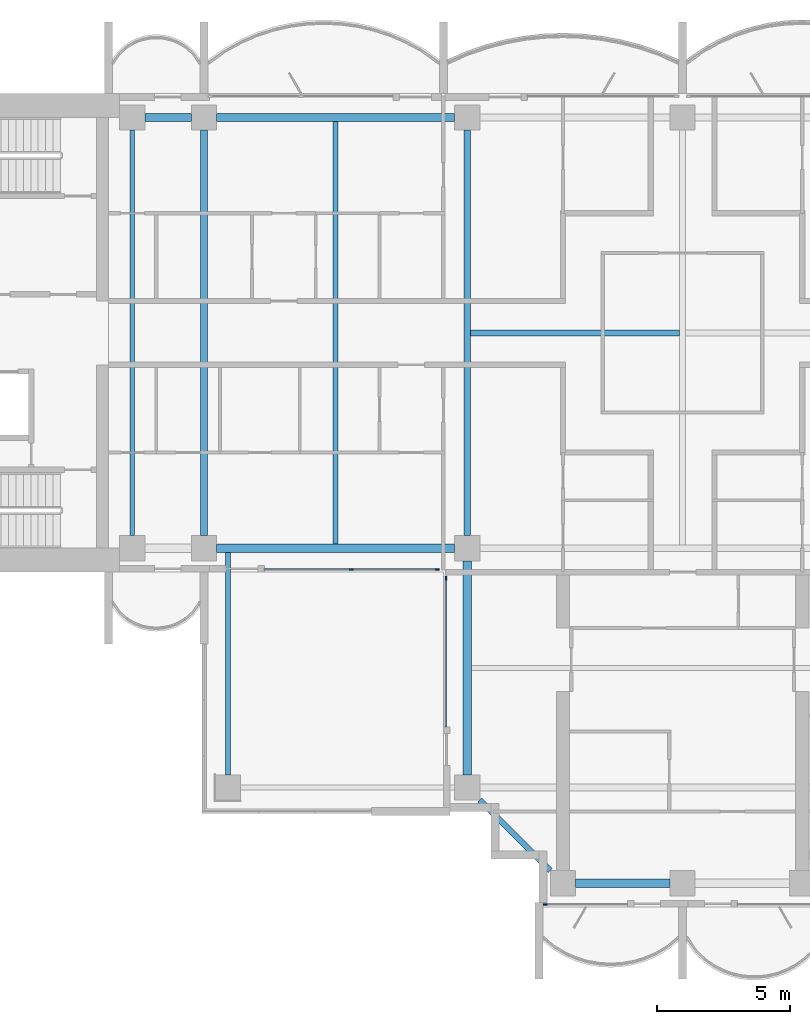
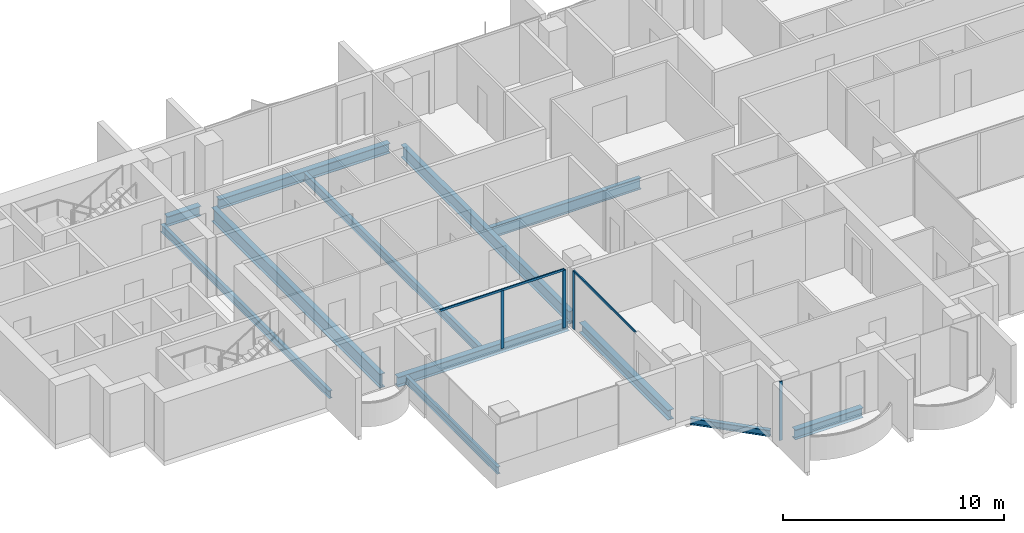
# One storey, part 2 of 17: 12 beams, 6 members, 3 elements without a shape of their own.
"""IFC4 building model written with IfcOpenShell, lengths in metres."""

from ifc_helpers import new_model, si_unit, direction, frame, origin, origin_2d, place, context, subcontext, project, spatial, rectangle, i_section, extrude, material, material_profile, profile_set, type_object, element, aggregate, save


model = new_model("IFC4")

# Units and contexts
model_context = context("Model", 3, precision=1e-05, world=origin(), true_north=direction((0.0, 1.0)))
body_context = subcontext(model_context, "Body", "Model", "MODEL_VIEW")
ifc_project = project(units=[si_unit("LENGTHUNIT", "METRE"), si_unit("AREAUNIT", "SQUARE_METRE"), si_unit("VOLUMEUNIT", "CUBIC_METRE"), si_unit("PLANEANGLEUNIT", "RADIAN"), si_unit("MASSUNIT", "GRAM", prefix="KILO")], contexts=[model_context])

# Site, building, storey
site_placement = place(None, origin())
site = spatial("IfcSite", under=ifc_project, at=site_placement, CompositionType="ELEMENT")
building_placement = place(site_placement, origin())
building = spatial("IfcBuilding", under=site, at=building_placement, Name="Perihelion Cross Residences", CompositionType="ELEMENT")
storey_placement = place(building_placement, frame((0.0, 0.0, 194.60009765625)))
storey = spatial("IfcBuildingStorey", under=building, at=storey_placement, Name="L48", CompositionType="ELEMENT", Elevation=194.60009765625)

# Curtain wall, members
ifc_material_1 = material(Name="Bronze anodised aluminium, tinted glazing", Category="aluminium")
curtain_wall_type = type_object("IfcCurtainWallType", Name="CW1", PredefinedType="NOTDEFINED", material=ifc_material_1)
curtain_wall_1_placement = place(storey_placement, origin())
curtain_wall_1 = element("IfcCurtainWall", 1, at=curtain_wall_1_placement, inside=storey, type_object=curtain_wall_type, Name="Curtain wall CW1 L48 west side south bay 2", PredefinedType="NOTDEFINED")
ifc_material_2 = material(Name="Bronze anodised aluminium", Category="aluminium")
ifc_material_profile_1 = material_profile(ifc_material_2, rectangle(XDim=0.06005859375, YDim=0.159912109375, at=origin_2d()), Name="CW1 mullion")
ifc_profile_set_1 = profile_set([ifc_material_profile_1], Name="Bronze anodised aluminium")
member_type_1 = type_object("IfcMemberType", Name="CW1 mullion", PredefinedType="MULLION", material=ifc_profile_set_1)
member_1_placement = place(storey_placement, frame((-12.46240234375, -8.89990234375, 0.0), z_axis=(0.0, 0.0, 1.0), x_axis=(0.0, 1.0, 0.0)))
member_1 = element("IfcMember", 2, at=member_1_placement, type_object=member_type_1, Name="CW1 mullion 2", PredefinedType="MULLION", context=body_context, shape_type="SweptSolid", body=[
    extrude(rectangle(XDim=0.06005859375, YDim=0.159912109375, at=origin_2d()), origin(), (0.0, 0.0, 1.0), 3.18994140625),
])
member_2_placement = place(storey_placement, frame((-9.22998046875, -8.89990234375, 0.0), z_axis=(0.0, 0.0, 1.0), x_axis=(0.0, 1.0, 0.0)))
member_2 = element("IfcMember", 3, at=member_2_placement, type_object=member_type_1, Name="CW1 mullion 3", PredefinedType="MULLION", context=body_context, shape_type="SweptSolid", body=[
    extrude(rectangle(XDim=0.06005859375, YDim=0.159912109375, at=origin_2d()), origin(), (0.0, 0.0, 1.0), 3.18994140625),
])

# Curtain wall, member
curtain_wall_2_placement = place(storey_placement, origin())
curtain_wall_2 = element("IfcCurtainWall", 4, at=curtain_wall_2_placement, inside=storey, type_object=curtain_wall_type, Name="Curtain wall CW1 L48 south side west bay 1", PredefinedType="NOTDEFINED")
member_3_placement = place(storey_placement, frame((-8.89990234375, -9.22998046875, 0.0), z_axis=(0.0, 0.0, 1.0), x_axis=(1.0, 0.0, 0.0)))
member_3 = element("IfcMember", 5, at=member_3_placement, type_object=member_type_1, Name="CW1 mullion 1", PredefinedType="MULLION", context=body_context, shape_type="SweptSolid", body=[
    extrude(rectangle(XDim=0.06005859375, YDim=0.159912109375, at=origin_2d()), origin(), (0.0, 0.0, 1.0), 3.18994140625),
])

curtain_wall_3_placement = place(storey_placement, origin())
curtain_wall_3 = element("IfcCurtainWall", 6, at=curtain_wall_3_placement, inside=storey, type_object=curtain_wall_type, Name="Curtain wall CW1 L48 south tip south bay 1", PredefinedType="NOTDEFINED")
member_4_placement = place(storey_placement, frame((-5.169921875, -21.5, 0.0), z_axis=(0.0, 0.0, 1.0), x_axis=(0.0, 1.0, 0.0)))
member_4 = element("IfcMember", 7, at=member_4_placement, type_object=member_type_1, Name="CW1 mullion 1", PredefinedType="MULLION", context=body_context, shape_type="SweptSolid", body=[
    extrude(rectangle(XDim=0.06005859375, YDim=0.159912109375, at=origin_2d()), origin(), (0.0, 0.0, 1.0), 3.25),
])
aggregate(curtain_wall_3, [member_4])

# Member
ifc_material_3 = material(Name="Bronze anodised aluminium", Category="aluminium")
ifc_material_profile_2 = material_profile(ifc_material_3, rectangle(XDim=0.06005859375, YDim=0.1201171875, at=origin_2d()), Name="CW1 transom")
ifc_profile_set_2 = profile_set([ifc_material_profile_2], Name="Bronze anodised aluminium")
member_type_2 = type_object("IfcMemberType", Name="CW1 transom", PredefinedType="USERDEFINED", material=ifc_profile_set_2)
member_5_placement = place(storey_placement, frame((-15.72509765625, -8.89990234375, 3.219970703125), z_axis=(1.0, 0.0, 0.0), x_axis=(0.0, 1.0, 0.0)))
member_5 = element("IfcMember", 8, at=member_5_placement, type_object=member_type_2, Name="CW1 head transom", ObjectType="TRANSOM", PredefinedType="USERDEFINED", context=body_context, shape_type="SweptSolid", body=[
    extrude(rectangle(XDim=0.06005859375, YDim=0.1201171875, at=origin_2d()), origin(), (0.0, 0.0, 1.0), 6.4951171875),
])

aggregate(curtain_wall_1, [member_1, member_2, member_5])

member_6_placement = place(storey_placement, frame((-8.89990234375, -9.22998046875, 3.219970703125), z_axis=(0.0, -1.0, 0.0), x_axis=(1.0, 0.0, 0.0)))
member_6 = element("IfcMember", 9, at=member_6_placement, type_object=member_type_2, Name="CW1 head transom", ObjectType="TRANSOM", PredefinedType="USERDEFINED", context=body_context, shape_type="SweptSolid", body=[
    extrude(rectangle(XDim=0.06005859375, YDim=0.1201171875, at=origin_2d()), origin(), (0.0, 0.0, 1.0), 5.594970703125),
])

aggregate(curtain_wall_2, [member_3, member_6])

# Beams
ifc_material_4 = material(Name="Steel S355", Category="steel")
ifc_material_profile_3 = material_profile(ifc_material_4, i_section(OverallWidth=0.177978515625, OverallDepth=0.406005859375, WebThickness=0.0078125, FlangeThickness=0.0126953125, at=origin_2d()), Name="W410x60")
ifc_profile_set_3 = profile_set([ifc_material_profile_3], Name="Steel S355")
beam_type_1 = type_object("IfcBeamType", Name="Core edge beam W410x60", PredefinedType="BEAM", material=ifc_profile_set_3)
beam_1_placement = place(storey_placement, frame((-17.10009765625, -8.256103515625, -0.453125), z_axis=(0.0, -1.0, 0.0), x_axis=(1.0, 0.0, 0.0)))
element("IfcBeam", 10, at=beam_1_placement, inside=storey, type_object=beam_type_1, Name="Core edge beam TB2 L48 corner no. 1", PredefinedType="BEAM", context=body_context, shape_type="SweptSolid", body=[
    extrude(i_section(OverallWidth=0.177978515625, OverallDepth=0.406005859375, WebThickness=0.0078125, FlangeThickness=0.0126953125, at=origin_2d()), origin(), (0.0, 0.0, 1.0), 8.368896484375),
])
ifc_material_5 = material(Name="Steel S355", Category="steel")
ifc_material_profile_4 = material_profile(ifc_material_5, i_section(OverallWidth=0.180908203125, OverallDepth=0.4169921875, WebThickness=0.010986328125, FlangeThickness=0.018310546875, at=origin_2d()), Name="W410x85")
ifc_profile_set_4 = profile_set([ifc_material_profile_4], Name="Steel S355")
beam_type_2 = type_object("IfcBeamType", Name="Core edge beam W410x85", PredefinedType="BEAM", material=ifc_profile_set_4)
beam_2_placement = place(storey_placement, frame((-20.699951171875, -7.625, -0.45849609375), z_axis=(0.0, 1.0, 0.0), x_axis=(-1.0, 0.0, 0.0)))
element("IfcBeam", 11, at=beam_2_placement, inside=storey, type_object=beam_type_2, Name="Core edge beam TB6 L48 no. 1", PredefinedType="BEAM", context=body_context, shape_type="SweptSolid", body=[
    extrude(i_section(OverallWidth=0.180908203125, OverallDepth=0.4169921875, WebThickness=0.010986328125, FlangeThickness=0.018310546875, at=origin_2d()), origin(), (0.0, 0.0, 1.0), 15.25),
])
ifc_material_6 = material(Name="Steel S355", Category="steel")
ifc_material_profile_5 = material_profile(ifc_material_6, i_section(OverallWidth=0.31201171875, OverallDepth=0.5439453125, WebThickness=0.0126953125, FlangeThickness=0.020263671875, at=origin_2d()), Name="W530x150")
ifc_profile_set_5 = profile_set([ifc_material_profile_5], Name="Steel S355")
beam_type_3 = type_object("IfcBeamType", Name="Edge beam W530x150", PredefinedType="SPANDREL", material=ifc_profile_set_5)
beam_3_placement = place(storey_placement, frame((-8.574951171875, 8.10009765625, -0.522216796875), z_axis=(-1.0, 0.0, 0.0), x_axis=(0.0, -1.0, 0.0)))
element("IfcBeam", 12, at=beam_3_placement, inside=storey, type_object=beam_type_3, Name="Edge beam SB4 L48 no. 6", PredefinedType="SPANDREL", context=body_context, shape_type="SweptSolid", body=[
    extrude(i_section(OverallWidth=0.31201171875, OverallDepth=0.5439453125, WebThickness=0.0126953125, FlangeThickness=0.020263671875, at=origin_2d()), origin(), (0.0, 0.0, 1.0), 8.949951171875),
])
beam_4_placement = place(storey_placement, frame((-18.47509765625, 8.10009765625, -0.522216796875), z_axis=(-1.0, 0.0, 0.0), x_axis=(0.0, -1.0, 0.0)))
element("IfcBeam", 13, at=beam_4_placement, inside=storey, type_object=beam_type_3, Name="Edge beam SB4 L48 no. 2", PredefinedType="SPANDREL", context=body_context, shape_type="SweptSolid", body=[
    extrude(i_section(OverallWidth=0.31201171875, OverallDepth=0.5439453125, WebThickness=0.0126953125, FlangeThickness=0.020263671875, at=origin_2d()), origin(), (0.0, 0.0, 1.0), 1.75),
])
beam_5_placement = place(storey_placement, frame((-17.52490234375, -8.10009765625, -0.522216796875), z_axis=(1.0, 0.0, 0.0), x_axis=(0.0, 1.0, 0.0)))
element("IfcBeam", 14, at=beam_5_placement, inside=storey, type_object=beam_type_3, Name="Edge beam SB4 L48 no. 1", PredefinedType="SPANDREL", context=body_context, shape_type="SweptSolid", body=[
    extrude(i_section(OverallWidth=0.31201171875, OverallDepth=0.5439453125, WebThickness=0.0126953125, FlangeThickness=0.020263671875, at=origin_2d()), origin(), (0.0, 0.0, 1.0), 8.949951171875),
])
beam_6_placement = place(storey_placement, frame((-8.10009765625, -8.574951171875, -0.522216796875), z_axis=(0.0, -1.0, 0.0), x_axis=(1.0, 0.0, 0.0)))
element("IfcBeam", 15, at=beam_6_placement, inside=storey, type_object=beam_type_3, Name="Edge beam SB4 L48 no. 5", PredefinedType="SPANDREL", context=body_context, shape_type="SweptSolid", body=[
    extrude(i_section(OverallWidth=0.31201171875, OverallDepth=0.5439453125, WebThickness=0.0126953125, FlangeThickness=0.020263671875, at=origin_2d()), origin(), (0.0, 0.0, 1.0), 8.050048828125),
])
beam_7_placement = place(storey_placement, frame((-4.02490234375, -20.699951171875, -0.522216796875), z_axis=(1.0, 0.0, 0.0), x_axis=(0.0, 1.0, 0.0)))
element("IfcBeam", 16, at=beam_7_placement, inside=storey, type_object=beam_type_3, Name="Edge beam SB4 L48 no. 4", PredefinedType="SPANDREL", context=body_context, shape_type="SweptSolid", body=[
    extrude(i_section(OverallWidth=0.31201171875, OverallDepth=0.5439453125, WebThickness=0.0126953125, FlangeThickness=0.020263671875, at=origin_2d()), origin(), (0.0, 0.0, 1.0), 3.5498046875),
])
ifc_material_7 = material(Name="Steel S355", Category="steel")
ifc_material_profile_6 = material_profile(ifc_material_7, i_section(OverallWidth=0.26708984375, OverallDepth=0.77001953125, WebThickness=0.015625, FlangeThickness=0.025390625, at=origin_2d()), Name="W760x196")
ifc_profile_set_6 = profile_set([ifc_material_profile_6], Name="Steel S355")
beam_type_4 = type_object("IfcBeamType", Name="Floor girder W760x196", PredefinedType="BEAM", material=ifc_profile_set_6)
beam_8_placement = place(storey_placement, frame((-18.0, -7.625, -0.635009765625), z_axis=(0.0, 1.0, 0.0), x_axis=(-1.0, 0.0, 0.0)))
element("IfcBeam", 17, at=beam_8_placement, inside=storey, type_object=beam_type_4, Name="Girder G4 L48 no. 1", PredefinedType="BEAM", context=body_context, shape_type="SweptSolid", body=[
    extrude(i_section(OverallWidth=0.26708984375, OverallDepth=0.77001953125, WebThickness=0.015625, FlangeThickness=0.025390625, at=origin_2d()), origin(), (0.0, 0.0, 1.0), 15.25),
])
ifc_material_8 = material(Name="Steel S355", Category="steel")
ifc_material_profile_7 = material_profile(ifc_material_8, i_section(OverallWidth=0.19091796875, OverallDepth=0.45703125, WebThickness=0.009033203125, FlangeThickness=0.014404296875, at=origin_2d()), Name="W460x74")
ifc_profile_set_7 = profile_set([ifc_material_profile_7], Name="Steel S355")
beam_type_5 = type_object("IfcBeamType", Name="Floor joist W460x74", PredefinedType="JOIST", material=ifc_profile_set_7)
beam_9_placement = place(storey_placement, frame((-13.050048828125, -7.944091796875, -0.478515625), z_axis=(0.0, 1.0, 0.0), x_axis=(-1.0, 0.0, 0.0)))
element("IfcBeam", 18, at=beam_9_placement, inside=storey, type_object=beam_type_5, Name="Joist J5 L48 no. 1", PredefinedType="JOIST", context=body_context, shape_type="SweptSolid", body=[
    extrude(i_section(OverallWidth=0.19091796875, OverallDepth=0.45703125, WebThickness=0.009033203125, FlangeThickness=0.014404296875, at=origin_2d()), origin(), (0.0, 0.0, 1.0), 15.88818359375),
])
ifc_material_9 = material(Name="Steel S355", Category="steel")
ifc_material_profile_8 = material_profile(ifc_material_9, i_section(OverallWidth=0.22900390625, OverallDepth=0.612060546875, WebThickness=0.011962890625, FlangeThickness=0.01953125, at=origin_2d()), Name="W610x125")
ifc_profile_set_8 = profile_set([ifc_material_profile_8], Name="Steel S355")
beam_type_6 = type_object("IfcBeamType", Name="Hub cross beam W610x125", PredefinedType="BEAM", material=ifc_profile_set_8)
beam_10_placement = place(storey_placement, frame((-7.971435546875, 0.0, -0.55615234375), z_axis=(1.0, 0.0, 0.0), x_axis=(0.0, 1.0, 0.0)))
element("IfcBeam", 19, at=beam_10_placement, inside=storey, type_object=beam_type_6, Name="Hub cross beam XB4 L48 1 no. 1", PredefinedType="BEAM", context=body_context, shape_type="SweptSolid", body=[
    extrude(i_section(OverallWidth=0.22900390625, OverallDepth=0.612060546875, WebThickness=0.011962890625, FlangeThickness=0.01953125, at=origin_2d()), origin(), (0.0, 0.0, 1.0), 7.85693359375),
])
ifc_material_10 = material(Name="Steel S355", Category="steel")
ifc_material_profile_9 = material_profile(ifc_material_10, i_section(OverallWidth=0.257080078125, OverallDepth=0.693115234375, WebThickness=0.014404296875, FlangeThickness=0.023681640625, at=origin_2d()), Name="W690x170")
ifc_profile_set_9 = profile_set([ifc_material_profile_9], Name="Steel S355")
beam_type_7 = type_object("IfcBeamType", Name="Hub ring girder W690x170", PredefinedType="BEAM", material=ifc_profile_set_9)
beam_11_placement = place(storey_placement, frame((-8.10009765625, 7.625, -0.5966796875), z_axis=(0.0, -1.0, 0.0), x_axis=(1.0, 0.0, 0.0)))
element("IfcBeam", 20, at=beam_11_placement, inside=storey, type_object=beam_type_7, Name="Hub ring girder RG4 L48 no. 2", PredefinedType="BEAM", context=body_context, shape_type="SweptSolid", body=[
    extrude(i_section(OverallWidth=0.257080078125, OverallDepth=0.693115234375, WebThickness=0.014404296875, FlangeThickness=0.023681640625, at=origin_2d()), origin(), (0.0, 0.0, 1.0), 15.25),
])
ifc_material_11 = material(Name="Steel S355", Category="steel")
ifc_material_profile_10 = material_profile(ifc_material_11, i_section(OverallWidth=0.205078125, OverallDepth=0.35302734375, WebThickness=0.009521484375, FlangeThickness=0.016845703125, at=origin_2d()), Name="W360x79")
ifc_profile_set_10 = profile_set([ifc_material_profile_10], Name="Steel S355")
beam_type_8 = type_object("IfcBeamType", Name="Serration edge beam W360x79", PredefinedType="BEAM", material=ifc_profile_set_10)
beam_12_placement = place(storey_placement, frame((-7.625, -17.574951171875, -0.426513671875), z_axis=(0.70707420838, -0.707139352493, 0.0), x_axis=(0.707139352493, 0.70707420838, 0.0)))
element("IfcBeam", 21, at=beam_12_placement, inside=storey, type_object=beam_type_8, Name="Serration edge beam EB4 L48 no. 1", PredefinedType="BEAM", context=body_context, shape_type="SweptSolid", body=[
    extrude(i_section(OverallWidth=0.205078125, OverallDepth=0.35302734375, WebThickness=0.009521484375, FlangeThickness=0.016845703125, at=origin_2d()), origin(), (0.0, 0.0, 1.0), 3.747802734375),
])

save(model, "model.ifc")
